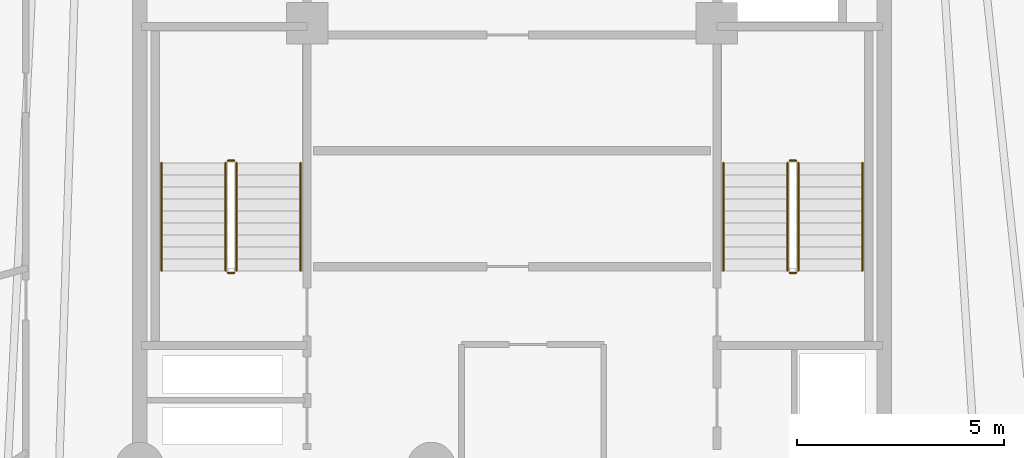
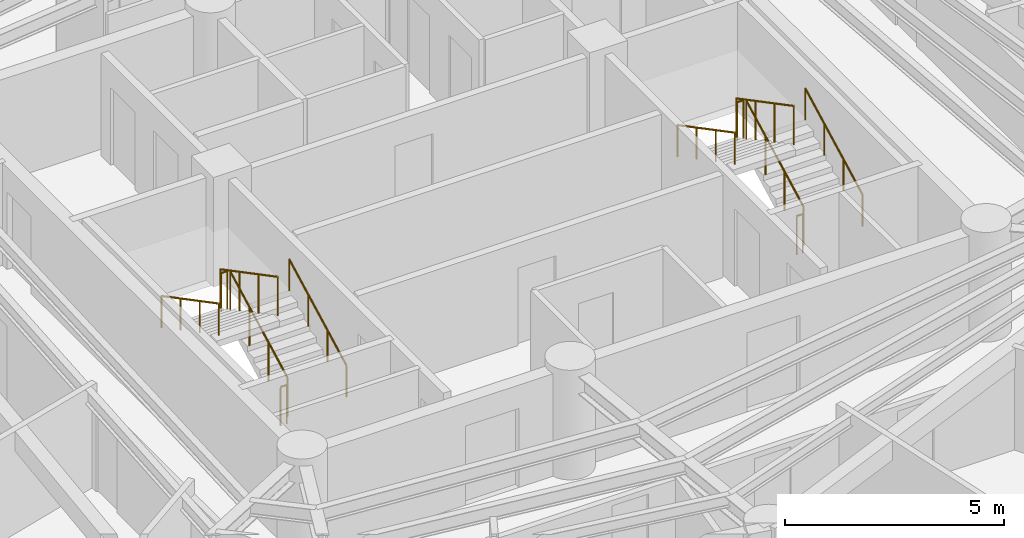
# One storey, part 7 of 7: 12 railings.
"""IFC4 building model written with IfcOpenShell, lengths in metres."""

import ifcopenshell
import ifcopenshell.guid

model = None  # the IFC model being written
_history = None  # IfcOwnerHistory: only IFC2X3 demands one
_inside = {}  # id of a spatial element -> (the spatial element, [elements in it])
_under = {}  # id of a project, library or spatial element -> (it, [spatial elements below it])
_declared = {}  # id of a project -> (the project, [libraries it declares])
_typed = {}  # id of a type object -> (the type object, [elements of that type])
_made_of = {}  # id of a material, layer set ... -> (it, [elements and type objects made of it])


def new_model(schema):
    """Start an empty IFC model of exactly this schema.

    Asked for "IFC4X3", IfcOpenShell would pick the latest addendum, in which some entities
    have other attributes; the version numbers below select the first issue.
    IFC2X3 requires an IfcOwnerHistory on every rooted entity: one is made here for all.
    """
    global model, _history
    if schema == "IFC4X3":
        model = ifcopenshell.file(schema_version=(4, 3, 0, 0))
    else:
        model = ifcopenshell.file(schema=schema)
    _inside.clear()
    _under.clear()
    _declared.clear()
    _typed.clear()
    _made_of.clear()
    _history = None
    if model.schema == "IFC2X3":
        org = make("IfcOrganization", Name="unknown")
        user = make(
            "IfcPersonAndOrganization",
            ThePerson=make("IfcPerson", FamilyName="unknown"),
            TheOrganization=org,
        )
        app = make(
            "IfcApplication",
            ApplicationDeveloper=org,
            Version="unknown",
            ApplicationFullName="unknown",
            ApplicationIdentifier="unknown",
        )
        _history = make(
            "IfcOwnerHistory",
            OwningUser=user,
            OwningApplication=app,
            ChangeAction="ADDED",
            CreationDate=0,
        )
    return model


def make(cls, **values):
    """One entity of the class cls with the attributes given. An attribute that is None is left unset."""
    return model.create_entity(
        cls, **{name: value for name, value in values.items() if value is not None}
    )


def rooted(cls, **values):
    """An entity with a GlobalId (a new one), such as an element, a storey or a relation."""
    return make(cls, GlobalId=ifcopenshell.guid.new(), OwnerHistory=_history, **values)


def si_unit(unit_type, name, prefix=None):
    """IfcSIUnit, for example si_unit("LENGTHUNIT", "METRE", prefix="MILLI")."""
    return make("IfcSIUnit", UnitType=unit_type, Prefix=prefix, Name=name)


def assignment(units):
    """IfcUnitAssignment: the units of a project."""
    return None if units is None else make("IfcUnitAssignment", Units=units)


def point(xyz):
    """IfcCartesianPoint."""
    return None if xyz is None else make("IfcCartesianPoint", Coordinates=xyz)


def direction(xyz):
    """IfcDirection."""
    return None if xyz is None else make("IfcDirection", DirectionRatios=xyz)


def frame(location, z_axis=None, x_axis=None):
    """IfcAxis2Placement3D, a coordinate frame: its origin and axes. An axis left out is left unset."""
    return make(
        "IfcAxis2Placement3D",
        Location=point(location),
        Axis=direction(z_axis),
        RefDirection=direction(x_axis),
    )


def frame_2d(location, x_axis=None):
    """IfcAxis2Placement2D, a coordinate frame in the plane: its origin and x axis."""
    return make(
        "IfcAxis2Placement2D", Location=point(location), RefDirection=direction(x_axis)
    )


def origin():
    """The frame at (0, 0, 0) with its axes left unset."""
    return frame((0.0, 0.0, 0.0))


def origin_2d():
    """The frame at (0, 0) in the plane with its x axis left unset."""
    return frame_2d((0.0, 0.0))


def place(relative_to, where):
    """IfcLocalPlacement: puts the frame where relative to a parent placement (None: the world)."""
    return make(
        "IfcLocalPlacement", PlacementRelTo=relative_to, RelativePlacement=where
    )


def context(
    kind, dimensions, precision=None, world=None, true_north=None, identifier=None
):
    """IfcGeometricRepresentationContext, for example the 3D "Model" context."""
    return make(
        "IfcGeometricRepresentationContext",
        ContextIdentifier=identifier,
        ContextType=kind,
        CoordinateSpaceDimension=dimensions,
        Precision=precision,
        WorldCoordinateSystem=world,
        TrueNorth=true_north,
    )


def subcontext(parent, identifier, kind, view, scale=None):
    """IfcGeometricRepresentationSubContext, for example "Body" below "Model"."""
    return make(
        "IfcGeometricRepresentationSubContext",
        ContextIdentifier=identifier,
        ContextType=kind,
        ParentContext=parent,
        TargetScale=scale,
        TargetView=view,
    )


def project(units=None, contexts=None):
    """IfcProject with its units and contexts."""
    return rooted(
        "IfcProject",
        Name="project",
        RepresentationContexts=contexts,
        UnitsInContext=assignment(units),
    )


def spatial(cls, under=None, at=None, **own):
    """A site, building, storey or space (cls), placed at a placement, below another one or the project."""
    s = rooted(cls, ObjectPlacement=at, **own)
    if under is not None:
        _under.setdefault(under.id(), (under, []))[1].append(s)
    return s


def profile(cls, at=None, kind="AREA", **sizes):
    """A parametric profile (cls). Its sizes go by their IFC names, for example OverallWidth=200.0."""
    return make(cls, ProfileType=kind, Position=at, **sizes)


def circle(**sizes):
    """IfcCircleProfileDef."""
    return profile("IfcCircleProfileDef", **sizes)


def extrude(swept, where, along, depth):
    """IfcExtrudedAreaSolid: the profile swept, set in the frame where, extruded along a direction by depth."""
    return make(
        "IfcExtrudedAreaSolid",
        SweptArea=swept,
        Position=where,
        ExtrudedDirection=direction(along),
        Depth=depth,
    )


def shape(context_of_items, identifier, shape_type, items):
    """IfcShapeRepresentation: the items that make up one representation, for example the "Body"."""
    return make(
        "IfcShapeRepresentation",
        ContextOfItems=context_of_items,
        RepresentationIdentifier=identifier,
        RepresentationType=shape_type,
        Items=items,
    )


def material(Name=None, Category=None):
    """IfcMaterial."""
    return make("IfcMaterial", Name=Name, Category=Category)


def layer(
    of_material, thickness, ventilated=None, Name=None, Category=None, Priority=None
):
    """IfcMaterialLayer: one layer of a wall or slab, of a material (None: an air gap)."""
    return make(
        "IfcMaterialLayer",
        Material=of_material,
        LayerThickness=thickness,
        IsVentilated=ventilated,
        Name=Name,
        Category=Category,
        Priority=Priority,
    )


def layer_set(layers, Name=None):
    """IfcMaterialLayerSet."""
    return make("IfcMaterialLayerSet", MaterialLayers=layers, LayerSetName=Name)


def made_of(thing, what):
    """Note that an element or type object is made of a material, layer set ...; save() writes the relation."""
    if what is not None:
        _made_of.setdefault(what.id(), (what, []))[1].append(thing)
    return thing


def type_object(cls, material=None, **own):
    """A type object (cls), such as IfcWallType, which elements share."""
    return made_of(rooted(cls, **own), material)


def element(
    cls,
    number,
    at=None,
    inside=None,
    cuts=None,
    type_object=None,
    material=None,
    context=None,
    identifier="Body",
    shape_type=None,
    held_by="IfcProductDefinitionShape",
    body=None,
    shapes=None,
    **own,
):
    """One element of the class cls, such as IfcWall. Its Tag is "e" and its number.

    at: its placement. inside: the storey or other place that contains it. cuts: it is an
    opening in that element (IfcRelVoidsElement). A single representation is given by context,
    identifier, shape_type and body (its items); several are given by shapes. held_by: the class
    of the entity that holds the representations. save() writes the other relations.
    """
    e = rooted(cls, Tag="e%d" % number, ObjectPlacement=at, **own)
    if body is not None:
        shapes = [shape(context, identifier, shape_type, body)]
    if shapes is not None:
        e.Representation = make(held_by, Representations=shapes)
    if inside is not None:
        _inside.setdefault(inside.id(), (inside, []))[1].append(e)
    if cuts is not None:
        rooted(
            "IfcRelVoidsElement", RelatingBuildingElement=cuts, RelatedOpeningElement=e
        )
    if type_object is not None:
        _typed.setdefault(type_object.id(), (type_object, []))[1].append(e)
    return made_of(e, material)


def aggregate(whole, parts):
    """IfcRelAggregates: a whole, such as a stair, and the parts it consists of."""
    return rooted("IfcRelAggregates", RelatingObject=whole, RelatedObjects=parts)


def save(model, path):
    """Write the relations noted so far, then the file.

    IfcRelAggregates (storeys below a building ...), IfcRelContainedInSpatialStructure (elements
    in a storey), IfcRelDefinesByType, IfcRelAssociatesMaterial and IfcRelDeclares: one each for
    every whole, place, type object, material and project.
    """
    for whole, parts in _under.values():
        aggregate(whole, parts)
    for where, things in _inside.values():
        rooted(
            "IfcRelContainedInSpatialStructure",
            RelatedElements=things,
            RelatingStructure=where,
        )
    for kind, things in _typed.values():
        rooted("IfcRelDefinesByType", RelatedObjects=things, RelatingType=kind)
    for what, things in _made_of.values():
        rooted("IfcRelAssociatesMaterial", RelatedObjects=things, RelatingMaterial=what)
    for by, libraries in _declared.values():
        rooted("IfcRelDeclares", RelatingContext=by, RelatedDefinitions=libraries)
    model.write(path)


model = new_model("IFC4")

# Units and contexts
model_context = context("Model", 3, precision=1e-05, world=origin(), true_north=direction((0.0, 1.0)))
body_context = subcontext(model_context, "Body", "Model", "MODEL_VIEW")
ifc_project = project(units=[si_unit("LENGTHUNIT", "METRE"), si_unit("AREAUNIT", "SQUARE_METRE"), si_unit("VOLUMEUNIT", "CUBIC_METRE"), si_unit("PLANEANGLEUNIT", "RADIAN"), si_unit("MASSUNIT", "GRAM", prefix="KILO")], contexts=[model_context])

# Site, building, storey
site_placement = place(None, origin())
site = spatial("IfcSite", under=ifc_project, at=site_placement, CompositionType="ELEMENT")
building_placement = place(site_placement, origin())
building = spatial("IfcBuilding", under=site, at=building_placement, Name="Karkom Vertical University and Central Library", CompositionType="ELEMENT")
storey_placement = place(building_placement, frame((0.0, 0.0, 219.949951171875)))
storey = spatial("IfcBuildingStorey", under=building, at=storey_placement, Name="L64", CompositionType="ELEMENT", Elevation=219.949951171875)

# Railings
ifc_material_1 = material(Name="Painted galvanised steel balustrade", Category="steel")
ifc_layer_1 = layer(ifc_material_1, 0.06005859375)
ifc_layer_set_1 = layer_set([ifc_layer_1], Name="Painted galvanised steel balustrade")
railing_type_1 = type_object("IfcRailingType", Name="INT-RL-GUARD1100", PredefinedType="GUARDRAIL", material=ifc_layer_set_1)
railing_1_placement = place(storey_placement, frame((21.840087890625, 23.02001953125, 0.152587890625)))
element("IfcRailing", 1, at=railing_1_placement, inside=storey, type_object=railing_type_1, Name="Level 64 ST-1 stair guard 1", PredefinedType="GUARDRAIL", context=body_context, shape_type="SweptSolid", body=[
    extrude(circle(Radius=0.02392578125, at=origin_2d()), frame((0.0, 0.0, 1.076171875), z_axis=(0.0, 0.885065446896, 0.46546659892), x_axis=(-1.0, 0.0, 0.0)), (0.0, 0.0, 1.0), 2.94873046875),
    extrude(circle(Radius=0.02099609375, at=origin_2d()), origin(), (0.0, 0.0, 1.0), 1.052001953125),
    extrude(circle(Radius=0.02099609375, at=origin_2d()), frame((0.0, 0.869873046875, 0.45751953125)), (0.0, 0.0, 1.0), 1.052001953125),
    extrude(circle(Radius=0.02099609375, at=origin_2d()), frame((0.0, 1.739990234375, 0.9150390625)), (0.0, 0.0, 1.0), 1.052001953125),
    extrude(circle(Radius=0.02099609375, at=origin_2d()), frame((0.0, 2.60986328125, 1.37255859375)), (0.0, 0.0, 1.0), 1.052001953125),
])
railing_2_placement = place(storey_placement, frame((21.7900390625, 25.679931640625, 1.525146484375)))
element("IfcRailing", 2, at=railing_2_placement, inside=storey, type_object=railing_type_1, Name="Level 64 ST-1 stair guard 2", PredefinedType="GUARDRAIL", context=body_context, shape_type="SweptSolid", body=[
    extrude(circle(Radius=0.02392578125, at=origin_2d()), frame((0.0, 0.0, 1.076171875), z_axis=(-1.0, 0.0, 0.0), x_axis=(0.0, -1.0, 0.0)), (0.0, 0.0, 1.0), 0.16015625),
    extrude(circle(Radius=0.02099609375, at=origin_2d()), origin(), (0.0, 0.0, 1.0), 1.052001953125),
    extrude(circle(Radius=0.02099609375, at=origin_2d()), frame((-0.16015625, 0.0, 0.0)), (0.0, 0.0, 1.0), 1.052001953125),
])
railing_3_placement = place(storey_placement, frame((21.580078125, 25.6298828125, 1.677490234375)))
element("IfcRailing", 3, at=railing_3_placement, inside=storey, type_object=railing_type_1, Name="Level 64 ST-1 stair guard 3", PredefinedType="GUARDRAIL", context=body_context, shape_type="SweptSolid", body=[
    extrude(circle(Radius=0.02392578125, at=origin_2d()), frame((0.0, 0.0, 1.076171875), z_axis=(0.0, -0.885065446896, 0.46546659892), x_axis=(1.0, 0.0, 0.0)), (0.0, 0.0, 1.0), 2.94873046875),
    extrude(circle(Radius=0.02099609375, at=origin_2d()), origin(), (0.0, 0.0, 1.0), 1.052001953125),
    extrude(circle(Radius=0.02099609375, at=origin_2d()), frame((0.0, -0.869873046875, 0.45751953125)), (0.0, 0.0, 1.0), 1.052001953125),
    extrude(circle(Radius=0.02099609375, at=origin_2d()), frame((0.0, -1.739990234375, 0.9150390625)), (0.0, 0.0, 1.0), 1.052001953125),
    extrude(circle(Radius=0.02099609375, at=origin_2d()), frame((0.0, -2.60986328125, 1.37255859375)), (0.0, 0.0, 1.0), 1.052001953125),
])
railing_4_placement = place(storey_placement, frame((21.7900390625, 22.969970703125, 0.0)))
element("IfcRailing", 4, at=railing_4_placement, inside=storey, type_object=railing_type_1, Name="Level 64 ST-1 stair guard 4", PredefinedType="GUARDRAIL", context=body_context, shape_type="SweptSolid", body=[
    extrude(circle(Radius=0.02392578125, at=origin_2d()), frame((0.0, 0.0, 1.076171875), z_axis=(-1.0, 0.0, 0.0), x_axis=(0.0, -1.0, 0.0)), (0.0, 0.0, 1.0), 0.16015625),
    extrude(circle(Radius=0.02099609375, at=origin_2d()), origin(), (0.0, 0.0, 1.0), 1.052001953125),
    extrude(circle(Radius=0.02099609375, at=origin_2d()), frame((-0.16015625, 0.0, 0.0)), (0.0, 0.0, 1.0), 1.052001953125),
])
railing_5_placement = place(storey_placement, frame((35.419921875, 23.02001953125, 0.152587890625)))
element("IfcRailing", 5, at=railing_5_placement, inside=storey, type_object=railing_type_1, Name="Level 64 ST-2 stair guard 1", PredefinedType="GUARDRAIL", context=body_context, shape_type="SweptSolid", body=[
    extrude(circle(Radius=0.02392578125, at=origin_2d()), frame((0.0, 0.0, 1.076171875), z_axis=(0.0, 0.885065446896, 0.46546659892), x_axis=(-1.0, 0.0, 0.0)), (0.0, 0.0, 1.0), 2.94873046875),
    extrude(circle(Radius=0.02099609375, at=origin_2d()), origin(), (0.0, 0.0, 1.0), 1.052001953125),
    extrude(circle(Radius=0.02099609375, at=origin_2d()), frame((0.0, 0.869873046875, 0.45751953125)), (0.0, 0.0, 1.0), 1.052001953125),
    extrude(circle(Radius=0.02099609375, at=origin_2d()), frame((0.0, 1.739990234375, 0.9150390625)), (0.0, 0.0, 1.0), 1.052001953125),
    extrude(circle(Radius=0.02099609375, at=origin_2d()), frame((0.0, 2.60986328125, 1.37255859375)), (0.0, 0.0, 1.0), 1.052001953125),
])
railing_6_placement = place(storey_placement, frame((35.3701171875, 25.679931640625, 1.525146484375)))
element("IfcRailing", 6, at=railing_6_placement, inside=storey, type_object=railing_type_1, Name="Level 64 ST-2 stair guard 2", PredefinedType="GUARDRAIL", context=body_context, shape_type="SweptSolid", body=[
    extrude(circle(Radius=0.02392578125, at=origin_2d()), frame((0.0, 0.0, 1.076171875), z_axis=(-1.0, 0.0, 0.0), x_axis=(0.0, -1.0, 0.0)), (0.0, 0.0, 1.0), 0.16015625),
    extrude(circle(Radius=0.02099609375, at=origin_2d()), origin(), (0.0, 0.0, 1.0), 1.052001953125),
    extrude(circle(Radius=0.02099609375, at=origin_2d()), frame((-0.16015625, 0.0, 0.0)), (0.0, 0.0, 1.0), 1.052001953125),
])
railing_7_placement = place(storey_placement, frame((35.159912109375, 25.6298828125, 1.677490234375)))
element("IfcRailing", 7, at=railing_7_placement, inside=storey, type_object=railing_type_1, Name="Level 64 ST-2 stair guard 3", PredefinedType="GUARDRAIL", context=body_context, shape_type="SweptSolid", body=[
    extrude(circle(Radius=0.02392578125, at=origin_2d()), frame((0.0, 0.0, 1.076171875), z_axis=(0.0, -0.885065446896, 0.46546659892), x_axis=(1.0, 0.0, 0.0)), (0.0, 0.0, 1.0), 2.94873046875),
    extrude(circle(Radius=0.02099609375, at=origin_2d()), origin(), (0.0, 0.0, 1.0), 1.052001953125),
    extrude(circle(Radius=0.02099609375, at=origin_2d()), frame((0.0, -0.869873046875, 0.45751953125)), (0.0, 0.0, 1.0), 1.052001953125),
    extrude(circle(Radius=0.02099609375, at=origin_2d()), frame((0.0, -1.739990234375, 0.9150390625)), (0.0, 0.0, 1.0), 1.052001953125),
    extrude(circle(Radius=0.02099609375, at=origin_2d()), frame((0.0, -2.60986328125, 1.37255859375)), (0.0, 0.0, 1.0), 1.052001953125),
])
railing_8_placement = place(storey_placement, frame((35.3701171875, 22.969970703125, 0.0)))
element("IfcRailing", 8, at=railing_8_placement, inside=storey, type_object=railing_type_1, Name="Level 64 ST-2 stair guard 4", PredefinedType="GUARDRAIL", context=body_context, shape_type="SweptSolid", body=[
    extrude(circle(Radius=0.02392578125, at=origin_2d()), frame((0.0, 0.0, 1.076171875), z_axis=(-1.0, 0.0, 0.0), x_axis=(0.0, -1.0, 0.0)), (0.0, 0.0, 1.0), 0.16015625),
    extrude(circle(Radius=0.02099609375, at=origin_2d()), origin(), (0.0, 0.0, 1.0), 1.052001953125),
    extrude(circle(Radius=0.02099609375, at=origin_2d()), frame((-0.16015625, 0.0, 0.0)), (0.0, 0.0, 1.0), 1.052001953125),
])
ifc_material_2 = material(Name="Brushed stainless-steel tubular handrail", Category="steel")
ifc_layer_2 = layer(ifc_material_2, 0.048095703125)
ifc_layer_set_2 = layer_set([ifc_layer_2], Name="Brushed stainless-steel tubular handrail")
railing_type_2 = type_object("IfcRailingType", Name="INT-RL-HAND920", PredefinedType="HANDRAIL", material=ifc_layer_set_2)
railing_9_placement = place(storey_placement, frame((23.389892578125, 23.02001953125, 0.152587890625)))
element("IfcRailing", 9, at=railing_9_placement, inside=storey, type_object=railing_type_2, Name="Level 64 ST-1 stair handrail 1", PredefinedType="HANDRAIL", context=body_context, shape_type="SweptSolid", body=[
    extrude(circle(Radius=0.02392578125, at=origin_2d()), frame((0.0, 0.0, 0.8759765625), z_axis=(0.0, 0.885065446896, 0.46546659892), x_axis=(-1.0, 0.0, 0.0)), (0.0, 0.0, 1.0), 2.94873046875),
    extrude(circle(Radius=0.02099609375, at=origin_2d()), origin(), (0.0, 0.0, 1.0), 0.851806640625),
    extrude(circle(Radius=0.02099609375, at=origin_2d()), frame((0.0, 0.869873046875, 0.45751953125)), (0.0, 0.0, 1.0), 0.851806640625),
    extrude(circle(Radius=0.02099609375, at=origin_2d()), frame((0.0, 1.739990234375, 0.9150390625)), (0.0, 0.0, 1.0), 0.851806640625),
    extrude(circle(Radius=0.02099609375, at=origin_2d()), frame((0.0, 2.60986328125, 1.37255859375)), (0.0, 0.0, 1.0), 0.851806640625),
])
railing_10_placement = place(storey_placement, frame((20.030029296875, 25.6298828125, 1.677490234375)))
element("IfcRailing", 10, at=railing_10_placement, inside=storey, type_object=railing_type_2, Name="Level 64 ST-1 stair handrail 2", PredefinedType="HANDRAIL", context=body_context, shape_type="SweptSolid", body=[
    extrude(circle(Radius=0.02392578125, at=origin_2d()), frame((0.0, 0.0, 0.8759765625), z_axis=(0.0, -0.885065446896, 0.46546659892), x_axis=(1.0, 0.0, 0.0)), (0.0, 0.0, 1.0), 2.94873046875),
    extrude(circle(Radius=0.02099609375, at=origin_2d()), origin(), (0.0, 0.0, 1.0), 0.851806640625),
    extrude(circle(Radius=0.02099609375, at=origin_2d()), frame((0.0, -0.869873046875, 0.45751953125)), (0.0, 0.0, 1.0), 0.851806640625),
    extrude(circle(Radius=0.02099609375, at=origin_2d()), frame((0.0, -1.739990234375, 0.9150390625)), (0.0, 0.0, 1.0), 0.851806640625),
    extrude(circle(Radius=0.02099609375, at=origin_2d()), frame((0.0, -2.60986328125, 1.37255859375)), (0.0, 0.0, 1.0), 0.851806640625),
])
railing_11_placement = place(storey_placement, frame((36.969970703125, 23.02001953125, 0.152587890625)))
element("IfcRailing", 11, at=railing_11_placement, inside=storey, type_object=railing_type_2, Name="Level 64 ST-2 stair handrail 1", PredefinedType="HANDRAIL", context=body_context, shape_type="SweptSolid", body=[
    extrude(circle(Radius=0.02392578125, at=origin_2d()), frame((0.0, 0.0, 0.8759765625), z_axis=(0.0, 0.885065446896, 0.46546659892), x_axis=(-1.0, 0.0, 0.0)), (0.0, 0.0, 1.0), 2.94873046875),
    extrude(circle(Radius=0.02099609375, at=origin_2d()), origin(), (0.0, 0.0, 1.0), 0.851806640625),
    extrude(circle(Radius=0.02099609375, at=origin_2d()), frame((0.0, 0.869873046875, 0.45751953125)), (0.0, 0.0, 1.0), 0.851806640625),
    extrude(circle(Radius=0.02099609375, at=origin_2d()), frame((0.0, 1.739990234375, 0.9150390625)), (0.0, 0.0, 1.0), 0.851806640625),
    extrude(circle(Radius=0.02099609375, at=origin_2d()), frame((0.0, 2.60986328125, 1.37255859375)), (0.0, 0.0, 1.0), 0.851806640625),
])
railing_12_placement = place(storey_placement, frame((33.610107421875, 25.6298828125, 1.677490234375)))
element("IfcRailing", 12, at=railing_12_placement, inside=storey, type_object=railing_type_2, Name="Level 64 ST-2 stair handrail 2", PredefinedType="HANDRAIL", context=body_context, shape_type="SweptSolid", body=[
    extrude(circle(Radius=0.02392578125, at=origin_2d()), frame((0.0, 0.0, 0.8759765625), z_axis=(0.0, -0.885065446896, 0.46546659892), x_axis=(1.0, 0.0, 0.0)), (0.0, 0.0, 1.0), 2.94873046875),
    extrude(circle(Radius=0.02099609375, at=origin_2d()), origin(), (0.0, 0.0, 1.0), 0.851806640625),
    extrude(circle(Radius=0.02099609375, at=origin_2d()), frame((0.0, -0.869873046875, 0.45751953125)), (0.0, 0.0, 1.0), 0.851806640625),
    extrude(circle(Radius=0.02099609375, at=origin_2d()), frame((0.0, -1.739990234375, 0.9150390625)), (0.0, 0.0, 1.0), 0.851806640625),
    extrude(circle(Radius=0.02099609375, at=origin_2d()), frame((0.0, -2.60986328125, 1.37255859375)), (0.0, 0.0, 1.0), 0.851806640625),
])

save(model, "model.ifc")
